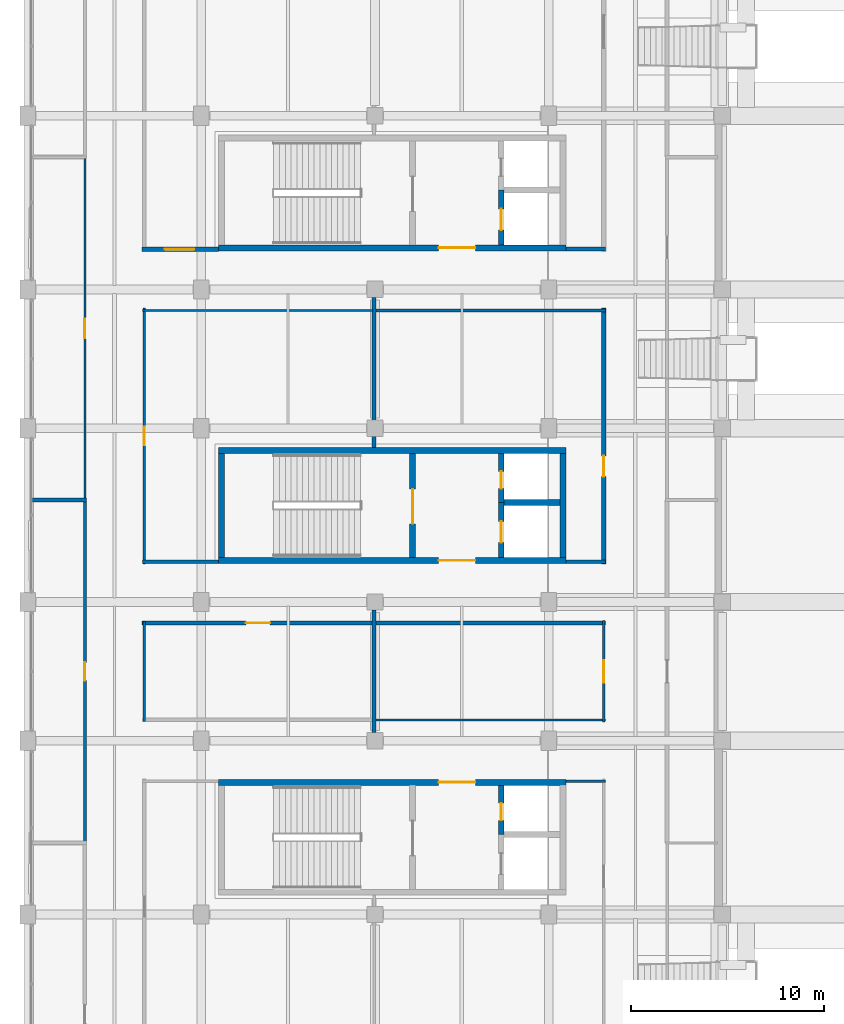
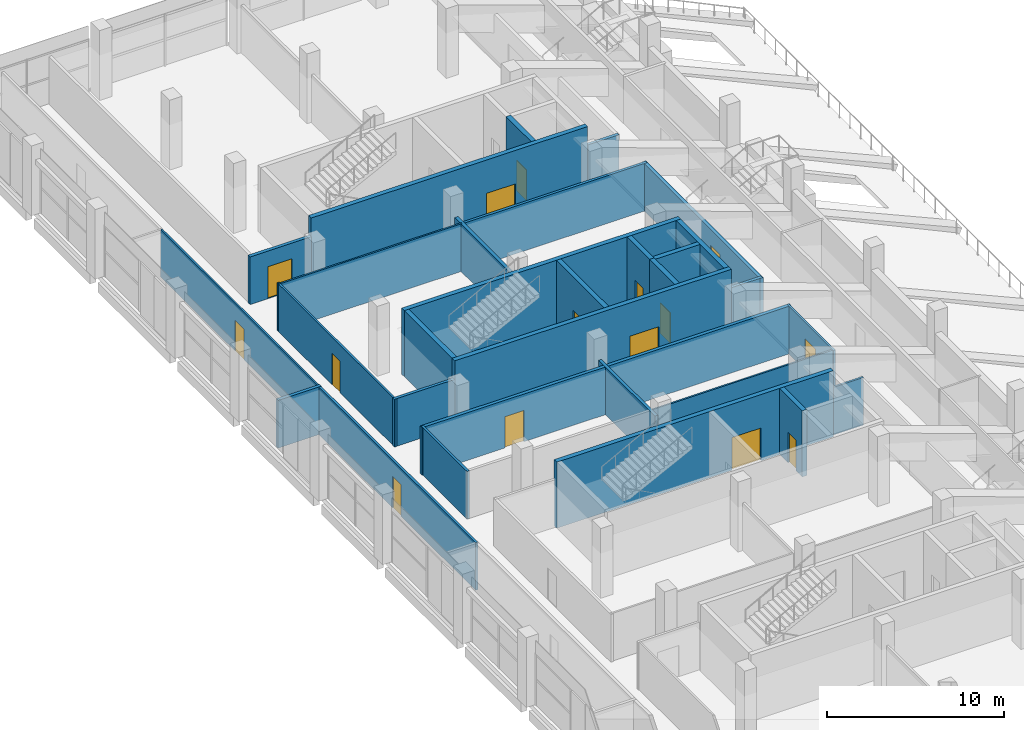
# One storey, part 50 of 66: 31 walls, 15 doors, 15 openings.
"""IFC4 building model written with IfcOpenShell, lengths in metres."""

import ifcopenshell
import ifcopenshell.guid

model = None  # the IFC model being written
_history = None  # IfcOwnerHistory: only IFC2X3 demands one
_inside = {}  # id of a spatial element -> (the spatial element, [elements in it])
_under = {}  # id of a project, library or spatial element -> (it, [spatial elements below it])
_declared = {}  # id of a project -> (the project, [libraries it declares])
_typed = {}  # id of a type object -> (the type object, [elements of that type])
_made_of = {}  # id of a material, layer set ... -> (it, [elements and type objects made of it])


def new_model(schema):
    """Start an empty IFC model of exactly this schema.

    Asked for "IFC4X3", IfcOpenShell would pick the latest addendum, in which some entities
    have other attributes; the version numbers below select the first issue.
    IFC2X3 requires an IfcOwnerHistory on every rooted entity: one is made here for all.
    """
    global model, _history
    if schema == "IFC4X3":
        model = ifcopenshell.file(schema_version=(4, 3, 0, 0))
    else:
        model = ifcopenshell.file(schema=schema)
    _inside.clear()
    _under.clear()
    _declared.clear()
    _typed.clear()
    _made_of.clear()
    _history = None
    if model.schema == "IFC2X3":
        org = make("IfcOrganization", Name="unknown")
        user = make(
            "IfcPersonAndOrganization",
            ThePerson=make("IfcPerson", FamilyName="unknown"),
            TheOrganization=org,
        )
        app = make(
            "IfcApplication",
            ApplicationDeveloper=org,
            Version="unknown",
            ApplicationFullName="unknown",
            ApplicationIdentifier="unknown",
        )
        _history = make(
            "IfcOwnerHistory",
            OwningUser=user,
            OwningApplication=app,
            ChangeAction="ADDED",
            CreationDate=0,
        )
    return model


def make(cls, **values):
    """One entity of the class cls with the attributes given. An attribute that is None is left unset."""
    return model.create_entity(
        cls, **{name: value for name, value in values.items() if value is not None}
    )


def rooted(cls, **values):
    """An entity with a GlobalId (a new one), such as an element, a storey or a relation."""
    return make(cls, GlobalId=ifcopenshell.guid.new(), OwnerHistory=_history, **values)


def si_unit(unit_type, name, prefix=None):
    """IfcSIUnit, for example si_unit("LENGTHUNIT", "METRE", prefix="MILLI")."""
    return make("IfcSIUnit", UnitType=unit_type, Prefix=prefix, Name=name)


def assignment(units):
    """IfcUnitAssignment: the units of a project."""
    return None if units is None else make("IfcUnitAssignment", Units=units)


def point(xyz):
    """IfcCartesianPoint."""
    return None if xyz is None else make("IfcCartesianPoint", Coordinates=xyz)


def direction(xyz):
    """IfcDirection."""
    return None if xyz is None else make("IfcDirection", DirectionRatios=xyz)


def frame(location, z_axis=None, x_axis=None):
    """IfcAxis2Placement3D, a coordinate frame: its origin and axes. An axis left out is left unset."""
    return make(
        "IfcAxis2Placement3D",
        Location=point(location),
        Axis=direction(z_axis),
        RefDirection=direction(x_axis),
    )


def frame_2d(location, x_axis=None):
    """IfcAxis2Placement2D, a coordinate frame in the plane: its origin and x axis."""
    return make(
        "IfcAxis2Placement2D", Location=point(location), RefDirection=direction(x_axis)
    )


def origin():
    """The frame at (0, 0, 0) with its axes left unset."""
    return frame((0.0, 0.0, 0.0))


def place(relative_to, where):
    """IfcLocalPlacement: puts the frame where relative to a parent placement (None: the world)."""
    return make(
        "IfcLocalPlacement", PlacementRelTo=relative_to, RelativePlacement=where
    )


def context(
    kind, dimensions, precision=None, world=None, true_north=None, identifier=None
):
    """IfcGeometricRepresentationContext, for example the 3D "Model" context."""
    return make(
        "IfcGeometricRepresentationContext",
        ContextIdentifier=identifier,
        ContextType=kind,
        CoordinateSpaceDimension=dimensions,
        Precision=precision,
        WorldCoordinateSystem=world,
        TrueNorth=true_north,
    )


def subcontext(parent, identifier, kind, view, scale=None):
    """IfcGeometricRepresentationSubContext, for example "Body" below "Model"."""
    return make(
        "IfcGeometricRepresentationSubContext",
        ContextIdentifier=identifier,
        ContextType=kind,
        ParentContext=parent,
        TargetScale=scale,
        TargetView=view,
    )


def project(units=None, contexts=None):
    """IfcProject with its units and contexts."""
    return rooted(
        "IfcProject",
        Name="project",
        RepresentationContexts=contexts,
        UnitsInContext=assignment(units),
    )


def spatial(cls, under=None, at=None, **own):
    """A site, building, storey or space (cls), placed at a placement, below another one or the project."""
    s = rooted(cls, ObjectPlacement=at, **own)
    if under is not None:
        _under.setdefault(under.id(), (under, []))[1].append(s)
    return s


def profile(cls, at=None, kind="AREA", **sizes):
    """A parametric profile (cls). Its sizes go by their IFC names, for example OverallWidth=200.0."""
    return make(cls, ProfileType=kind, Position=at, **sizes)


def rectangle(**sizes):
    """IfcRectangleProfileDef."""
    return profile("IfcRectangleProfileDef", **sizes)


def extrude(swept, where, along, depth):
    """IfcExtrudedAreaSolid: the profile swept, set in the frame where, extruded along a direction by depth."""
    return make(
        "IfcExtrudedAreaSolid",
        SweptArea=swept,
        Position=where,
        ExtrudedDirection=direction(along),
        Depth=depth,
    )


def shape(context_of_items, identifier, shape_type, items):
    """IfcShapeRepresentation: the items that make up one representation, for example the "Body"."""
    return make(
        "IfcShapeRepresentation",
        ContextOfItems=context_of_items,
        RepresentationIdentifier=identifier,
        RepresentationType=shape_type,
        Items=items,
    )


def material(Name=None, Category=None):
    """IfcMaterial."""
    return make("IfcMaterial", Name=Name, Category=Category)


def layer(
    of_material, thickness, ventilated=None, Name=None, Category=None, Priority=None
):
    """IfcMaterialLayer: one layer of a wall or slab, of a material (None: an air gap)."""
    return make(
        "IfcMaterialLayer",
        Material=of_material,
        LayerThickness=thickness,
        IsVentilated=ventilated,
        Name=Name,
        Category=Category,
        Priority=Priority,
    )


def layer_set(layers, Name=None):
    """IfcMaterialLayerSet."""
    return make("IfcMaterialLayerSet", MaterialLayers=layers, LayerSetName=Name)


def made_of(thing, what):
    """Note that an element or type object is made of a material, layer set ...; save() writes the relation."""
    if what is not None:
        _made_of.setdefault(what.id(), (what, []))[1].append(thing)
    return thing


def type_object(cls, material=None, **own):
    """A type object (cls), such as IfcWallType, which elements share."""
    return made_of(rooted(cls, **own), material)


def element(
    cls,
    number,
    at=None,
    inside=None,
    cuts=None,
    type_object=None,
    material=None,
    context=None,
    identifier="Body",
    shape_type=None,
    held_by="IfcProductDefinitionShape",
    body=None,
    shapes=None,
    **own,
):
    """One element of the class cls, such as IfcWall. Its Tag is "e" and its number.

    at: its placement. inside: the storey or other place that contains it. cuts: it is an
    opening in that element (IfcRelVoidsElement). A single representation is given by context,
    identifier, shape_type and body (its items); several are given by shapes. held_by: the class
    of the entity that holds the representations. save() writes the other relations.
    """
    e = rooted(cls, Tag="e%d" % number, ObjectPlacement=at, **own)
    if body is not None:
        shapes = [shape(context, identifier, shape_type, body)]
    if shapes is not None:
        e.Representation = make(held_by, Representations=shapes)
    if inside is not None:
        _inside.setdefault(inside.id(), (inside, []))[1].append(e)
    if cuts is not None:
        rooted(
            "IfcRelVoidsElement", RelatingBuildingElement=cuts, RelatedOpeningElement=e
        )
    if type_object is not None:
        _typed.setdefault(type_object.id(), (type_object, []))[1].append(e)
    return made_of(e, material)


def fill(opening, filler):
    """IfcRelFillsElement: the door or window that sits in an opening."""
    return rooted(
        "IfcRelFillsElement",
        RelatingOpeningElement=opening,
        RelatedBuildingElement=filler,
    )


def aggregate(whole, parts):
    """IfcRelAggregates: a whole, such as a stair, and the parts it consists of."""
    return rooted("IfcRelAggregates", RelatingObject=whole, RelatedObjects=parts)


def save(model, path):
    """Write the relations noted so far, then the file.

    IfcRelAggregates (storeys below a building ...), IfcRelContainedInSpatialStructure (elements
    in a storey), IfcRelDefinesByType, IfcRelAssociatesMaterial and IfcRelDeclares: one each for
    every whole, place, type object, material and project.
    """
    for whole, parts in _under.values():
        aggregate(whole, parts)
    for where, things in _inside.values():
        rooted(
            "IfcRelContainedInSpatialStructure",
            RelatedElements=things,
            RelatingStructure=where,
        )
    for kind, things in _typed.values():
        rooted("IfcRelDefinesByType", RelatedObjects=things, RelatingType=kind)
    for what, things in _made_of.values():
        rooted("IfcRelAssociatesMaterial", RelatedObjects=things, RelatingMaterial=what)
    for by, libraries in _declared.values():
        rooted("IfcRelDeclares", RelatingContext=by, RelatedDefinitions=libraries)
    model.write(path)


model = new_model("IFC4")

# Units and contexts
model_context = context("Model", 3, precision=1e-05, world=origin(), true_north=direction((0.0, 1.0)))
body_context = subcontext(model_context, "Body", "Model", "MODEL_VIEW")
ifc_project = project(units=[si_unit("LENGTHUNIT", "METRE"), si_unit("AREAUNIT", "SQUARE_METRE"), si_unit("VOLUMEUNIT", "CUBIC_METRE"), si_unit("PLANEANGLEUNIT", "RADIAN"), si_unit("MASSUNIT", "GRAM", prefix="KILO"), si_unit("THERMODYNAMICTEMPERATUREUNIT", "KELVIN"), si_unit("POWERUNIT", "WATT")], contexts=[model_context])

# Site, building, storey
site_placement = place(None, origin())
site = spatial("IfcSite", under=ifc_project, at=site_placement, CompositionType="ELEMENT")
building_placement = place(site_placement, origin())
building = spatial("IfcBuilding", under=site, at=building_placement, Name="Sindhuravela Promenade Stadium", CompositionType="ELEMENT")
storey_placement = place(building_placement, frame((0.0, 0.0, 19.199951171875)))
storey = spatial("IfcBuildingStorey", under=building, at=storey_placement, Name="L04", CompositionType="ELEMENT", Elevation=19.199951171875)

# Walls
ifc_material_1 = material(Name="Fire-rated gypsum partition board", Category="gypsum")
ifc_layer_1 = layer(ifc_material_1, 0.110107421875)
ifc_layer_set_1 = layer_set([ifc_layer_1], Name="Fire-rated gypsum partition board")
wall_type_1 = type_object("IfcWallType", Name="IN-WL-PAR110", PredefinedType="PARTITIONING", material=ifc_layer_set_1)
for number, where, z_axis, x_axis, name in (
    (1, (5.9599609375, 99.7099609375, 0.0), (0.0, 0.0, 1.0), (1.0, 0.0, 0.0), "Interior partition IW06 WEST L04"),
    (2, (29.93994140625, 78.489990234375, 0.0), (0.0, 0.0, 1.0), (-1.0, 0.0, 0.0), "Interior partition IW06 WEST L04"),
):
    element("IfcWall", number, at=place(storey_placement, frame(where, z_axis=z_axis, x_axis=x_axis)), inside=storey, type_object=wall_type_1, Name=name, PredefinedType="PARTITIONING", context=body_context, shape_type="SweptSolid", body=[
        extrude(rectangle(XDim=11.949951171875, YDim=0.110107421875, at=frame_2d((5.97509765625, 0.0))), origin(), (0.0, 0.0, 1.0), 3.280029296875),
    ])

# Wall, opening, door
wall_1_placement = place(storey_placement, frame((2.9599609375, 89.885986328125, 0.0), z_axis=(0.0, 0.0, 1.0), x_axis=(0.0, 1.0, 0.0)))
wall_1 = element("IfcWall", 3, at=wall_1_placement, inside=storey, type_object=wall_type_1, Name="Corridor partition IW06 Supporter Welfare Room West 6", PredefinedType="PARTITIONING", context=body_context, shape_type="SweptSolid", body=[
    extrude(rectangle(XDim=17.77197265625, YDim=0.110107421875, at=frame_2d((8.885986328125, 0.0))), origin(), (0.0, 0.0, 1.0), 3.280029296875),
])
opening_1_placement = place(wall_1_placement, frame((8.385986328125, 0.0, 0.0)))
opening_1 = element("IfcOpeningElement", 4, at=opening_1_placement, cuts=wall_1, Name="Opening ID08", PredefinedType="OPENING", context=body_context, shape_type="SweptSolid", body=[
    extrude(rectangle(XDim=1.0, YDim=2.10009765625, at=frame_2d((0.5, 1.050048828125))), frame((0.0, 0.06494140625, 0.0), z_axis=(0.0, -1.0, 0.0), x_axis=(1.0, 0.0, 0.0)), (0.0, 0.0, 1.0), 0.130126953125),
])
ifc_material_2 = material(Name="Architectural teak timber leaf", Category="wood")
door_type_1 = type_object("IfcDoorType", Name="DR-INT-1000x2100", OperationType="NOTDEFINED", PredefinedType="DOOR", material=ifc_material_2)
door_1_placement = place(opening_1_placement, origin())
door_1 = element("IfcDoor", 5, at=door_1_placement, inside=storey, type_object=door_type_1, Name="Supporter Welfare Room West 6 door", OperationType="SINGLE_SWING_RIGHT", OverallHeight=2.10009765625, OverallWidth=1.0, PredefinedType="DOOR", context=body_context, shape_type="SweptSolid", body=[
    extrude(rectangle(XDim=1.0, YDim=2.10009765625, at=frame_2d((0.5, 1.050048828125))), frame((0.0, 0.02490234375, 0.0), z_axis=(0.0, -1.0, 0.0), x_axis=(1.0, 0.0, 0.0)), (0.0, 0.0, 1.0), 0.050048828125),
])
fill(opening_1, door_1)

ifc_layer_2 = layer(ifc_material_1, 0.1298828125)
ifc_layer_set_2 = layer_set([ifc_layer_2], Name="Fire-rated gypsum partition board")
wall_type_2 = type_object("IfcWallType", Name="IN-WL-PAR130", PredefinedType="PARTITIONING", material=ifc_layer_set_2)
wall_2_placement = place(storey_placement, frame((6.0400390625, 99.830078125, 0.0), z_axis=(0.0, 0.0, 1.0), x_axis=(0.0, -1.0, 0.0)))
wall_2 = element("IfcWall", 6, at=wall_2_placement, inside=storey, type_object=wall_type_2, Name="Corridor partition IW05 Stadium Operations Office", PredefinedType="PARTITIONING", context=body_context, shape_type="SweptSolid", body=[
    extrude(rectangle(XDim=13.260009765625, YDim=0.1298828125, at=frame_2d((6.6298828125, 0.0))), origin(), (0.0, 0.0, 1.0), 3.280029296875),
])
opening_2_placement = place(wall_2_placement, frame((6.155029296875, 0.0, 0.0)))
opening_2 = element("IfcOpeningElement", 7, at=opening_2_placement, cuts=wall_2, Name="Opening ID10", PredefinedType="OPENING", context=body_context, shape_type="SweptSolid", body=[
    extrude(rectangle(XDim=0.949951171875, YDim=2.179931640625, at=frame_2d((0.47509765625, 1.08984375))), frame((0.0, 0.074951171875, 0.0), z_axis=(0.0, -1.0, 0.0), x_axis=(1.0, 0.0, 0.0)), (0.0, 0.0, 1.0), 0.14990234375),
])
door_type_2 = type_object("IfcDoorType", Name="DR-INT-950x2180", OperationType="NOTDEFINED", PredefinedType="DOOR", material=ifc_material_2)
door_2_placement = place(opening_2_placement, origin())
door_2 = element("IfcDoor", 8, at=door_2_placement, inside=storey, type_object=door_type_2, Name="Stadium Operations Office door", OperationType="SINGLE_SWING_RIGHT", OverallHeight=2.179931640625, OverallWidth=0.949951171875, PredefinedType="DOOR", context=body_context, shape_type="SweptSolid", body=[
    extrude(rectangle(XDim=0.949951171875, YDim=2.179931640625, at=frame_2d((0.47509765625, 1.08984375))), frame((0.0, 0.02490234375, 0.0), z_axis=(0.0, -1.0, 0.0), x_axis=(1.0, 0.0, 0.0)), (0.0, 0.0, 1.0), 0.050048828125),
])
fill(opening_2, door_2)

# Wall
wall_3_placement = place(storey_placement, frame((27.902099609375, 75.31005859375, 0.0), z_axis=(0.0, 0.0, 1.0), x_axis=(1.0, 0.0, 0.0)))
element("IfcWall", 9, at=wall_3_placement, inside=storey, type_object=wall_type_2, Name="Interior partition IW05 WEST L04", PredefinedType="PARTITIONING", context=body_context, shape_type="SweptSolid", body=[
    extrude(rectangle(XDim=2.037841796875, YDim=0.1298828125, at=frame_2d((1.01904296875, 0.0))), origin(), (0.0, 0.0, 1.0), 3.280029296875),
])

# Wall, opening, door
wall_4_placement = place(storey_placement, frame((29.860107421875, 78.3701171875, 0.0), z_axis=(0.0, 0.0, 1.0), x_axis=(0.0, 1.0, 0.0)))
wall_4 = element("IfcWall", 10, at=wall_4_placement, inside=storey, type_object=wall_type_2, Name="Corridor partition IW05 Panorama Supporters Lounge West 3", PredefinedType="PARTITIONING", context=body_context, shape_type="SweptSolid", body=[
    extrude(rectangle(XDim=5.259765625, YDim=0.1298828125, at=frame_2d((2.6298828125, 0.0))), origin(), (0.0, 0.0, 1.0), 3.280029296875),
])
opening_3_placement = place(wall_4_placement, frame((2.054931640625, 0.0, 0.0)))
opening_3 = element("IfcOpeningElement", 11, at=opening_3_placement, cuts=wall_4, Name="Opening ID05", PredefinedType="OPENING", context=body_context, shape_type="SweptSolid", body=[
    extrude(rectangle(XDim=1.14990234375, YDim=2.14990234375, at=frame_2d((0.574951171875, 1.074951171875))), frame((0.0, 0.074951171875, 0.0), z_axis=(0.0, -1.0, 0.0), x_axis=(1.0, 0.0, 0.0)), (0.0, 0.0, 1.0), 0.14990234375),
])
door_type_3 = type_object("IfcDoorType", Name="DR-INT-1150x2150", OperationType="NOTDEFINED", PredefinedType="DOOR", material=ifc_material_2)
door_3_placement = place(opening_3_placement, origin())
door_3 = element("IfcDoor", 12, at=door_3_placement, inside=storey, type_object=door_type_3, Name="Panorama Supporters Lounge West 3 door", OperationType="SINGLE_SWING_LEFT", OverallHeight=2.14990234375, OverallWidth=1.14990234375, PredefinedType="DOOR", context=body_context, shape_type="SweptSolid", body=[
    extrude(rectangle(XDim=1.14990234375, YDim=2.14990234375, at=frame_2d((0.574951171875, 1.074951171875))), frame((0.0, 0.02490234375, 0.0), z_axis=(0.0, -1.0, 0.0), x_axis=(1.0, 0.0, 0.0)), (0.0, 0.0, 1.0), 0.050048828125),
])
fill(opening_3, door_3)

# Wall
ifc_layer_3 = layer(ifc_material_1, 0.14990234375)
ifc_layer_set_3 = layer_set([ifc_layer_3], Name="Fire-rated gypsum partition board")
wall_type_3 = type_object("IfcWallType", Name="IN-WL-PAR150", PredefinedType="PARTITIONING", material=ifc_layer_set_3)
wall_5_placement = place(storey_placement, frame((6.0400390625, 78.409912109375, 0.0), z_axis=(0.0, 0.0, 1.0), x_axis=(0.0, 1.0, 0.0)))
element("IfcWall", 13, at=wall_5_placement, inside=storey, type_object=wall_type_3, Name="Interior partition IW04 WEST L04", PredefinedType="PARTITIONING", context=body_context, shape_type="SweptSolid", body=[
    extrude(rectangle(XDim=5.18017578125, YDim=0.14990234375, at=frame_2d((2.590087890625, 0.0))), origin(), (0.0, 0.0, 1.0), 3.280029296875),
])

# Wall, opening, door
wall_6_placement = place(storey_placement, frame((2.9599609375, 72.114013671875, 0.0), z_axis=(0.0, 0.0, 1.0), x_axis=(0.0, 1.0, 0.0)))
wall_6 = element("IfcWall", 14, at=wall_6_placement, inside=storey, type_object=wall_type_3, Name="Corridor partition IW04 Public Toilet Block West L04 8", PredefinedType="PARTITIONING", context=body_context, shape_type="SweptSolid", body=[
    extrude(rectangle(XDim=17.77197265625, YDim=0.14990234375, at=frame_2d((8.885986328125, 0.0))), origin(), (0.0, 0.0, 1.0), 3.280029296875),
])
opening_4_placement = place(wall_6_placement, frame((8.410888671875, 0.0, 0.0)))
opening_4 = element("IfcOpeningElement", 15, at=opening_4_placement, cuts=wall_6, Name="Opening ID10", PredefinedType="OPENING", context=body_context, shape_type="SweptSolid", body=[
    extrude(rectangle(XDim=0.949951171875, YDim=2.179931640625, at=frame_2d((0.47509765625, 1.08984375))), frame((0.0, 0.0849609375, 0.0), z_axis=(0.0, -1.0, 0.0), x_axis=(1.0, 0.0, 0.0)), (0.0, 0.0, 1.0), 0.169921875),
])
door_4_placement = place(opening_4_placement, origin())
door_4 = element("IfcDoor", 16, at=door_4_placement, inside=storey, type_object=door_type_2, Name="Public Toilet Block West L04 8 door", OperationType="SINGLE_SWING_RIGHT", OverallHeight=2.179931640625, OverallWidth=0.949951171875, PredefinedType="DOOR", context=body_context, shape_type="SweptSolid", body=[
    extrude(rectangle(XDim=0.949951171875, YDim=2.179931640625, at=frame_2d((0.47509765625, 1.08984375))), frame((0.0, 0.02490234375, 0.0), z_axis=(0.0, -1.0, 0.0), x_axis=(1.0, 0.0, 0.0)), (0.0, 0.0, 1.0), 0.050048828125),
])
fill(opening_4, door_4)

# Walls
ifc_layer_4 = layer(ifc_material_1, 0.175048828125)
ifc_layer_set_4 = layer_set([ifc_layer_4], Name="Fire-rated gypsum partition board")
wall_type_4 = type_object("IfcWallType", Name="IN-WL-PAR175", PredefinedType="PARTITIONING", material=ifc_layer_set_4)
wall_7_placement = place(storey_placement, frame((17.989990234375, 99.7099609375, 0.0), z_axis=(0.0, 0.0, 1.0), x_axis=(1.0, 0.0, 0.0)))
element("IfcWall", 17, at=wall_7_placement, inside=storey, type_object=wall_type_4, Name="Interior partition IW03 WEST L04", PredefinedType="PARTITIONING", context=body_context, shape_type="SweptSolid", body=[
    extrude(rectangle(XDim=11.949951171875, YDim=0.175048828125, at=frame_2d((5.97509765625, 0.0))), origin(), (0.0, 0.0, 1.0), 3.280029296875),
])
ifc_layer_5 = layer(ifc_material_1, 0.195068359375)
ifc_layer_set_5 = layer_set([ifc_layer_5], Name="Fire-rated gypsum partition board")
wall_type_5 = type_object("IfcWallType", Name="IN-WL-PAR195", PredefinedType="PARTITIONING", material=ifc_layer_set_5)
wall_8_placement = place(storey_placement, frame((29.93994140625, 102.889892578125, 0.0), z_axis=(0.0, 0.0, 1.0), x_axis=(-1.0, 0.0, 0.0)))
element("IfcWall", 18, at=wall_8_placement, inside=storey, type_object=wall_type_5, Name="Interior partition IW02 WEST L04", PredefinedType="PARTITIONING", context=body_context, shape_type="SweptSolid", body=[
    extrude(rectangle(XDim=2.037841796875, YDim=0.195068359375, at=frame_2d((1.01904296875, 0.0))), origin(), (0.0, 0.0, 1.0), 3.280029296875),
])
wall_9_placement = place(storey_placement, frame((9.89794921875, 86.68994140625, 0.0), z_axis=(0.0, 0.0, 1.0), x_axis=(-1.0, 0.0, 0.0)))
element("IfcWall", 19, at=wall_9_placement, inside=storey, type_object=wall_type_5, Name="Interior partition IW02 WEST L04", PredefinedType="PARTITIONING", context=body_context, shape_type="SweptSolid", body=[
    extrude(rectangle(XDim=3.93798828125, YDim=0.195068359375, at=frame_2d((1.968994140625, 0.0))), origin(), (0.0, 0.0, 1.0), 3.280029296875),
])
wall_10_placement = place(storey_placement, frame((29.93994140625, 86.68994140625, 0.0), z_axis=(0.0, 0.0, 1.0), x_axis=(-1.0, 0.0, 0.0)))
element("IfcWall", 20, at=wall_10_placement, inside=storey, type_object=wall_type_5, Name="Interior partition IW02 WEST L04", PredefinedType="PARTITIONING", context=body_context, shape_type="SweptSolid", body=[
    extrude(rectangle(XDim=2.037841796875, YDim=0.195068359375, at=frame_2d((1.01904296875, 0.0))), origin(), (0.0, 0.0, 1.0), 3.280029296875),
])
wall_11_placement = place(storey_placement, frame((17.949951171875, 84.173095703125, 0.0), z_axis=(0.0, 0.0, 1.0), x_axis=(0.0, -1.0, 0.0)))
element("IfcWall", 21, at=wall_11_placement, inside=storey, type_object=wall_type_5, Name="Interior partition IW02 WEST L04", PredefinedType="PARTITIONING", context=body_context, shape_type="SweptSolid", body=[
    extrude(rectangle(XDim=6.34619140625, YDim=0.195068359375, at=frame_2d((3.173095703125, 0.0))), origin(), (0.0, 0.0, 1.0), 3.280029296875),
])

# Wall, opening, door
ifc_layer_6 = layer(ifc_material_1, 0.219970703125)
ifc_layer_set_6 = layer_set([ifc_layer_6], Name="Fire-rated gypsum partition board")
wall_type_6 = type_object("IfcWallType", Name="IN-WL-PAR220", PredefinedType="PARTITIONING", material=ifc_layer_set_6)
wall_12_placement = place(storey_placement, frame((5.919921875, 102.889892578125, 0.0), z_axis=(0.0, 0.0, 1.0), x_axis=(1.0, 0.0, 0.0)))
wall_12 = element("IfcWall", 22, at=wall_12_placement, inside=storey, type_object=wall_type_6, Name="Corridor partition IW01 Upper Cantilevered Tier Stands West", PredefinedType="PARTITIONING", context=body_context, shape_type="SweptSolid", body=[
    extrude(rectangle(XDim=3.97802734375, YDim=0.219970703125, at=frame_2d((1.989013671875, 0.0))), origin(), (0.0, 0.0, 1.0), 3.280029296875),
])
opening_5_placement = place(wall_12_placement, frame((1.175048828125, 0.0, 0.0)))
opening_5 = element("IfcOpeningElement", 23, at=opening_5_placement, cuts=wall_12, Name="Opening ID02", PredefinedType="OPENING", context=body_context, shape_type="SweptSolid", body=[
    extrude(rectangle(XDim=1.550048828125, YDim=2.199951171875, at=frame_2d((0.77490234375, 1.10009765625))), frame((0.0, 0.119873046875, 0.0), z_axis=(0.0, -1.0, 0.0), x_axis=(1.0, 0.0, 0.0)), (0.0, 0.0, 1.0), 0.239990234375),
])
door_type_4 = type_object("IfcDoorType", Name="DR-INT-1550x2200", OperationType="DOUBLE_DOOR_SINGLE_SWING", PredefinedType="DOOR", material=ifc_material_2)
door_5_placement = place(opening_5_placement, origin())
door_5 = element("IfcDoor", 24, at=door_5_placement, inside=storey, type_object=door_type_4, Name="Upper Cantilevered Tier Stands West door", OperationType="DOUBLE_DOOR_SINGLE_SWING", OverallHeight=2.199951171875, OverallWidth=1.550048828125, PredefinedType="DOOR", context=body_context, shape_type="SweptSolid", body=[
    extrude(rectangle(XDim=1.550048828125, YDim=2.199951171875, at=frame_2d((0.77490234375, 1.10009765625))), frame((0.0, 0.02490234375, 0.0), z_axis=(0.0, -1.0, 0.0), x_axis=(1.0, 0.0, 0.0)), (0.0, 0.0, 1.0), 0.050048828125),
])
fill(opening_5, door_5)

# Wall
wall_13_placement = place(storey_placement, frame((17.949951171875, 100.373046875, 0.0), z_axis=(0.0, 0.0, 1.0), x_axis=(0.0, -1.0, 0.0)))
element("IfcWall", 25, at=wall_13_placement, inside=storey, type_object=wall_type_6, Name="Interior partition IW01 WEST L04", PredefinedType="PARTITIONING", context=body_context, shape_type="SweptSolid", body=[
    extrude(rectangle(XDim=7.77099609375, YDim=0.219970703125, at=frame_2d((3.885498046875, 0.0))), origin(), (0.0, 0.0, 1.0), 3.280029296875),
])

# Wall, opening, door
wall_14_placement = place(storey_placement, frame((29.860107421875, 86.570068359375, 0.0), z_axis=(0.0, 0.0, 1.0), x_axis=(0.0, 1.0, 0.0)))
wall_14 = element("IfcWall", 26, at=wall_14_placement, inside=storey, type_object=wall_type_6, Name="Corridor partition IW01 Accessible WC West L04", PredefinedType="PARTITIONING", context=body_context, shape_type="SweptSolid", body=[
    extrude(rectangle(XDim=13.260009765625, YDim=0.219970703125, at=frame_2d((6.6298828125, 0.0))), origin(), (0.0, 0.0, 1.0), 3.280029296875),
])
opening_6_placement = place(wall_14_placement, frame((4.527587890625, 0.0, 0.0)))
opening_6 = element("IfcOpeningElement", 27, at=opening_6_placement, cuts=wall_14, Name="Opening ID12", PredefinedType="OPENING", context=body_context, shape_type="SweptSolid", body=[
    extrude(rectangle(XDim=1.080078125, YDim=2.179931640625, at=frame_2d((0.5400390625, 1.08984375))), frame((0.0, 0.119873046875, 0.0), z_axis=(0.0, -1.0, 0.0), x_axis=(1.0, 0.0, 0.0)), (0.0, 0.0, 1.0), 0.239990234375),
])
door_type_5 = type_object("IfcDoorType", Name="DR-INT-1080x2180", OperationType="NOTDEFINED", PredefinedType="DOOR", material=ifc_material_2)
door_6_placement = place(opening_6_placement, origin())
door_6 = element("IfcDoor", 28, at=door_6_placement, inside=storey, type_object=door_type_5, Name="Accessible WC West L04 door", OperationType="SINGLE_SWING_RIGHT", OverallHeight=2.179931640625, OverallWidth=1.080078125, PredefinedType="DOOR", context=body_context, shape_type="SweptSolid", body=[
    extrude(rectangle(XDim=1.080078125, YDim=2.179931640625, at=frame_2d((0.5400390625, 1.08984375))), frame((0.0, 0.02490234375, 0.0), z_axis=(0.0, -1.0, 0.0), x_axis=(1.0, 0.0, 0.0)), (0.0, 0.0, 1.0), 0.050048828125),
])
fill(opening_6, door_6)

wall_15_placement = place(storey_placement, frame((17.949951171875, 83.510009765625, 0.0), z_axis=(0.0, 0.0, 1.0), x_axis=(-1.0, 0.0, 0.0)))
wall_15 = element("IfcWall", 29, at=wall_15_placement, inside=storey, type_object=wall_type_6, Name="Corridor partition IW01 West Upper Concourse Hall 2", PredefinedType="PARTITIONING", context=body_context, shape_type="SweptSolid", body=[
    extrude(rectangle(XDim=12.030029296875, YDim=0.219970703125, at=frame_2d((6.01513671875, 0.0))), origin(), (0.0, 0.0, 1.0), 3.280029296875),
])
opening_7_placement = place(wall_15_placement, frame((5.389892578125, 0.0, 0.0)))
opening_7 = element("IfcOpeningElement", 30, at=opening_7_placement, cuts=wall_15, Name="Opening ID04", PredefinedType="OPENING", context=body_context, shape_type="SweptSolid", body=[
    extrude(rectangle(XDim=1.25, YDim=2.14990234375, at=frame_2d((0.625, 1.074951171875))), frame((0.0, 0.119873046875, 0.0), z_axis=(0.0, -1.0, 0.0), x_axis=(1.0, 0.0, 0.0)), (0.0, 0.0, 1.0), 0.239990234375),
])
door_type_6 = type_object("IfcDoorType", Name="DR-INT-1250x2150", OperationType="NOTDEFINED", PredefinedType="DOOR", material=ifc_material_2)
door_7_placement = place(opening_7_placement, origin())
door_7 = element("IfcDoor", 31, at=door_7_placement, inside=storey, type_object=door_type_6, Name="West Upper Concourse Hall 2 door", OperationType="SINGLE_SWING_RIGHT", OverallHeight=2.14990234375, OverallWidth=1.25, PredefinedType="DOOR", context=body_context, shape_type="SweptSolid", body=[
    extrude(rectangle(XDim=1.25, YDim=2.14990234375, at=frame_2d((0.625, 1.074951171875))), frame((0.0, 0.02490234375, 0.0), z_axis=(0.0, -1.0, 0.0), x_axis=(1.0, 0.0, 0.0)), (0.0, 0.0, 1.0), 0.050048828125),
])
fill(opening_7, door_7)

# Walls
wall_16_placement = place(storey_placement, frame((17.989990234375, 83.510009765625, 0.0), z_axis=(0.0, 0.0, 1.0), x_axis=(1.0, 0.0, 0.0)))
element("IfcWall", 32, at=wall_16_placement, inside=storey, type_object=wall_type_6, Name="Interior partition IW01 WEST L04", PredefinedType="PARTITIONING", context=body_context, shape_type="SweptSolid", body=[
    extrude(rectangle(XDim=11.949951171875, YDim=0.219970703125, at=frame_2d((5.97509765625, 0.0))), origin(), (0.0, 0.0, 1.0), 3.280029296875),
])
wall_17_placement = place(storey_placement, frame((3.0400390625, 89.885986328125, 0.0), z_axis=(0.0, 0.0, 1.0), x_axis=(-1.0, 0.0, 0.0)))
element("IfcWall", 33, at=wall_17_placement, inside=storey, type_object=wall_type_6, Name="Interior partition IW01 WEST L04", PredefinedType="PARTITIONING", context=body_context, shape_type="SweptSolid", body=[
    extrude(rectangle(XDim=2.80712890625, YDim=0.219970703125, at=frame_2d((1.403564453125, 0.0))), origin(), (0.0, 0.0, 1.0), 3.280029296875),
])

# Wall, opening, door
ifc_material_3 = material(Name="Concrete M50", Category="concrete")
ifc_layer_7 = layer(ifc_material_3, 0.300048828125)
ifc_layer_set_7 = layer_set([ifc_layer_7], Name="Concrete M50")
wall_type_7 = type_object("IfcWallType", Name="RC-SW-300", PredefinedType="SHEAR", material=ifc_layer_set_7)
wall_18_placement = place(storey_placement, frame((27.89990234375, 75.25, 0.0), z_axis=(0.0, 0.0, 1.0), x_axis=(-1.0, 0.0, 0.0)))
wall_18 = element("IfcWall", 34, at=wall_18_placement, inside=storey, type_object=wall_type_7, Name="Core shear wall C02-N (L04)", PredefinedType="SHEAR", context=body_context, shape_type="SweptSolid", body=[
    extrude(rectangle(XDim=18.0, YDim=0.300048828125, at=frame_2d((9.0, 0.0))), origin(), (0.0, 0.0, 1.0), 4.550048828125),
])
opening_8_placement = place(wall_18_placement, frame((4.699951171875, 0.0, 0.0)))
opening_8 = element("IfcOpeningElement", 35, at=opening_8_placement, cuts=wall_18, Name="Opening FD02", PredefinedType="OPENING", context=body_context, shape_type="SweptSolid", body=[
    extrude(rectangle(XDim=1.89990234375, YDim=2.25, at=frame_2d((0.949951171875, 1.125))), frame((0.0, 0.159912109375, 0.0), z_axis=(0.0, -1.0, 0.0), x_axis=(1.0, 0.0, 0.0)), (0.0, 0.0, 1.0), 0.320068359375),
])
ifc_material_4 = material(Name="Architectural wrought steel E350", Category="steel")
door_type_7 = type_object("IfcDoorType", Name="DR-LOB-1900x2250", OperationType="DOUBLE_DOOR_SINGLE_SWING", PredefinedType="DOOR", material=ifc_material_4)
door_8_placement = place(opening_8_placement, origin())
door_8 = element("IfcDoor", 36, at=door_8_placement, inside=storey, type_object=door_type_7, Name="Protected lobby entrance door C02 (L04)", OperationType="DOUBLE_DOOR_SINGLE_SWING", OverallHeight=2.25, OverallWidth=1.89990234375, PredefinedType="DOOR", context=body_context, shape_type="SweptSolid", body=[
    extrude(rectangle(XDim=1.89990234375, YDim=2.25, at=frame_2d((0.949951171875, 1.125))), frame((0.0, 0.02490234375, 0.0), z_axis=(0.0, -1.0, 0.0), x_axis=(1.0, 0.0, 0.0)), (0.0, 0.0, 1.0), 0.050048828125),
])
fill(opening_8, door_8)

wall_19_placement = place(storey_placement, frame((24.550048828125, 72.550048828125, 0.0), z_axis=(0.0, 0.0, 1.0), x_axis=(0.0, 1.0, 0.0)))
wall_19 = element("IfcWall", 37, at=wall_19_placement, inside=storey, type_object=wall_type_7, Name="Core shear wall C02-RSR (L04)", PredefinedType="SHEAR", context=body_context, shape_type="SweptSolid", body=[
    extrude(rectangle(XDim=2.550048828125, YDim=0.300048828125, at=frame_2d((1.27490234375, 0.0))), origin(), (0.0, 0.0, 1.0), 4.550048828125),
])
opening_9_placement = place(wall_19_placement, frame((0.72509765625, 0.0, 0.0)))
opening_9 = element("IfcOpeningElement", 38, at=opening_9_placement, cuts=wall_19, Name="Opening FD03", PredefinedType="OPENING", context=body_context, shape_type="SweptSolid", body=[
    extrude(rectangle(XDim=0.89990234375, YDim=2.10009765625, at=frame_2d((0.449951171875, 1.050048828125))), frame((0.0, 0.159912109375, 0.0), z_axis=(0.0, -1.0, 0.0), x_axis=(1.0, 0.0, 0.0)), (0.0, 0.0, 1.0), 0.320068359375),
])
door_type_8 = type_object("IfcDoorType", Name="DR-RSR-900x2100", OperationType="NOTDEFINED", PredefinedType="DOOR", material=ifc_material_4)
door_9_placement = place(opening_9_placement, origin())
door_9 = element("IfcDoor", 39, at=door_9_placement, inside=storey, type_object=door_type_8, Name="Riser shaft access door C02 (L04)", OperationType="SINGLE_SWING_LEFT", OverallHeight=2.10009765625, OverallWidth=0.89990234375, PredefinedType="DOOR", context=body_context, shape_type="SweptSolid", body=[
    extrude(rectangle(XDim=0.89990234375, YDim=2.10009765625, at=frame_2d((0.449951171875, 1.050048828125))), frame((0.0, 0.02490234375, 0.0), z_axis=(0.0, -1.0, 0.0), x_axis=(1.0, 0.0, 0.0)), (0.0, 0.0, 1.0), 0.050048828125),
])
fill(opening_9, door_9)

wall_20_placement = place(storey_placement, frame((9.89990234375, 86.75, 0.0), z_axis=(0.0, 0.0, 1.0), x_axis=(1.0, 0.0, 0.0)))
wall_20 = element("IfcWall", 40, at=wall_20_placement, inside=storey, type_object=wall_type_7, Name="Core shear wall C03-S (L04)", PredefinedType="SHEAR", context=body_context, shape_type="SweptSolid", body=[
    extrude(rectangle(XDim=18.0, YDim=0.300048828125, at=frame_2d((9.0, 0.0))), origin(), (0.0, 0.0, 1.0), 4.550048828125),
])
opening_10_placement = place(wall_20_placement, frame((11.39990234375, 0.0, 0.0)))
opening_10 = element("IfcOpeningElement", 41, at=opening_10_placement, cuts=wall_20, Name="Opening FD02", PredefinedType="OPENING", context=body_context, shape_type="SweptSolid", body=[
    extrude(rectangle(XDim=1.89990234375, YDim=2.25, at=frame_2d((0.949951171875, 1.125))), frame((0.0, 0.159912109375, 0.0), z_axis=(0.0, -1.0, 0.0), x_axis=(1.0, 0.0, 0.0)), (0.0, 0.0, 1.0), 0.320068359375),
])
door_10_placement = place(opening_10_placement, origin())
door_10 = element("IfcDoor", 42, at=door_10_placement, inside=storey, type_object=door_type_7, Name="Protected lobby entrance door C03 (L04)", OperationType="DOUBLE_DOOR_SINGLE_SWING", OverallHeight=2.25, OverallWidth=1.89990234375, PredefinedType="DOOR", context=body_context, shape_type="SweptSolid", body=[
    extrude(rectangle(XDim=1.89990234375, YDim=2.25, at=frame_2d((0.949951171875, 1.125))), frame((0.0, 0.02490234375, 0.0), z_axis=(0.0, -1.0, 0.0), x_axis=(1.0, 0.0, 0.0)), (0.0, 0.0, 1.0), 0.050048828125),
])
fill(opening_10, door_10)

# Walls
wall_21_placement = place(storey_placement, frame((27.89990234375, 92.449951171875, 0.0), z_axis=(0.0, 0.0, 1.0), x_axis=(-1.0, 0.0, 0.0)))
element("IfcWall", 43, at=wall_21_placement, inside=storey, type_object=wall_type_7, Name="Core shear wall C03-N (L04)", PredefinedType="SHEAR", context=body_context, shape_type="SweptSolid", body=[
    extrude(rectangle(XDim=18.0, YDim=0.300048828125, at=frame_2d((9.0, 0.0))), origin(), (0.0, 0.0, 1.0), 4.550048828125),
])
for number, where, z_axis, x_axis, name in (
    (44, (10.050048828125, 92.300048828125, 0.0), (0.0, 0.0, 1.0), (0.0, -1.0, 0.0), "Core shear wall C03-W (L04)"),
    (45, (27.75, 86.89990234375, 0.0), (0.0, 0.0, 1.0), (0.0, 1.0, 0.0), "Core shear wall C03-E (L04)"),
):
    element("IfcWall", number, at=place(storey_placement, frame(where, z_axis=z_axis, x_axis=x_axis)), inside=storey, type_object=wall_type_7, Name=name, PredefinedType="SHEAR", context=body_context, shape_type="SweptSolid", body=[
        extrude(rectangle(XDim=5.400146484375, YDim=0.300048828125, at=frame_2d((2.7001953125, 0.0))), origin(), (0.0, 0.0, 1.0), 4.550048828125),
    ])

# Wall, opening, door
wall_22_placement = place(storey_placement, frame((19.949951171875, 86.89990234375, 0.0), z_axis=(0.0, 0.0, 1.0), x_axis=(0.0, 1.0, 0.0)))
wall_22 = element("IfcWall", 46, at=wall_22_placement, inside=storey, type_object=wall_type_7, Name="Core shear wall C03-ST (L04)", PredefinedType="SHEAR", context=body_context, shape_type="SweptSolid", body=[
    extrude(rectangle(XDim=5.400146484375, YDim=0.300048828125, at=frame_2d((2.7001953125, 0.0))), origin(), (0.0, 0.0, 1.0), 4.550048828125),
])
opening_11_placement = place(wall_22_placement, frame((1.75, 0.0, 0.0)))
opening_11 = element("IfcOpeningElement", 47, at=opening_11_placement, cuts=wall_22, Name="Opening FD01", PredefinedType="OPENING", context=body_context, shape_type="SweptSolid", body=[
    extrude(rectangle(XDim=1.800048828125, YDim=2.25, at=frame_2d((0.89990234375, 1.125))), frame((0.0, 0.159912109375, 0.0), z_axis=(0.0, -1.0, 0.0), x_axis=(1.0, 0.0, 0.0)), (0.0, 0.0, 1.0), 0.320068359375),
])
door_type_9 = type_object("IfcDoorType", Name="DR-CORE-1800x2250", OperationType="DOUBLE_DOOR_SINGLE_SWING", PredefinedType="DOOR", material=ifc_material_4)
door_11_placement = place(opening_11_placement, origin())
door_11 = element("IfcDoor", 48, at=door_11_placement, inside=storey, type_object=door_type_9, Name="Stair ST03 lobby fire door (L04)", OperationType="DOUBLE_DOOR_SINGLE_SWING", OverallHeight=2.25, OverallWidth=1.800048828125, PredefinedType="DOOR", context=body_context, shape_type="SweptSolid", body=[
    extrude(rectangle(XDim=1.800048828125, YDim=2.25, at=frame_2d((0.89990234375, 1.125))), frame((0.0, 0.02490234375, 0.0), z_axis=(0.0, -1.0, 0.0), x_axis=(1.0, 0.0, 0.0)), (0.0, 0.0, 1.0), 0.050048828125),
])
fill(opening_11, door_11)

wall_23_placement = place(storey_placement, frame((24.550048828125, 86.89990234375, 0.0), z_axis=(0.0, 0.0, 1.0), x_axis=(0.0, 1.0, 0.0)))
wall_23 = element("IfcWall", 49, at=wall_23_placement, inside=storey, type_object=wall_type_7, Name="Core shear wall C03-LFT (L04)", PredefinedType="SHEAR", context=body_context, shape_type="SweptSolid", body=[
    extrude(rectangle(XDim=2.85009765625, YDim=0.300048828125, at=frame_2d((1.425048828125, 0.0))), origin(), (0.0, 0.0, 1.0), 4.550048828125),
])
opening_12_placement = place(wall_23_placement, frame((0.77490234375, 0.0, 0.0)))
opening_12 = element("IfcOpeningElement", 50, at=opening_12_placement, cuts=wall_23, Name="Opening LD", PredefinedType="OPENING", context=body_context, shape_type="SweptSolid", body=[
    extrude(rectangle(XDim=1.10009765625, YDim=2.10009765625, at=frame_2d((0.550048828125, 1.050048828125))), frame((0.0, 0.159912109375, 0.0), z_axis=(0.0, -1.0, 0.0), x_axis=(1.0, 0.0, 0.0)), (0.0, 0.0, 1.0), 0.320068359375),
])
door_type_10 = type_object("IfcDoorType", Name="DR-LFT-1100x2100", OperationType="DOUBLE_DOOR_SLIDING", PredefinedType="DOOR", material=ifc_material_4)
door_12_placement = place(opening_12_placement, origin())
door_12 = element("IfcDoor", 51, at=door_12_placement, inside=storey, type_object=door_type_10, Name="Lift FL03 landing door (L04)", OperationType="DOUBLE_DOOR_SLIDING", OverallHeight=2.10009765625, OverallWidth=1.10009765625, PredefinedType="DOOR", context=body_context, shape_type="SweptSolid", body=[
    extrude(rectangle(XDim=1.10009765625, YDim=2.10009765625, at=frame_2d((0.550048828125, 1.050048828125))), frame((0.0, 0.02490234375, 0.0), z_axis=(0.0, -1.0, 0.0), x_axis=(1.0, 0.0, 0.0)), (0.0, 0.0, 1.0), 0.050048828125),
])
fill(opening_12, door_12)

wall_24_placement = place(storey_placement, frame((24.550048828125, 89.75, 0.0), z_axis=(0.0, 0.0, 1.0), x_axis=(0.0, 1.0, 0.0)))
wall_24 = element("IfcWall", 52, at=wall_24_placement, inside=storey, type_object=wall_type_7, Name="Core shear wall C03-RSR (L04)", PredefinedType="SHEAR", context=body_context, shape_type="SweptSolid", body=[
    extrude(rectangle(XDim=2.550048828125, YDim=0.300048828125, at=frame_2d((1.27490234375, 0.0))), origin(), (0.0, 0.0, 1.0), 4.550048828125),
])
opening_13_placement = place(wall_24_placement, frame((0.72509765625, 0.0, 0.0)))
opening_13 = element("IfcOpeningElement", 53, at=opening_13_placement, cuts=wall_24, Name="Opening FD03", PredefinedType="OPENING", context=body_context, shape_type="SweptSolid", body=[
    extrude(rectangle(XDim=0.89990234375, YDim=2.10009765625, at=frame_2d((0.449951171875, 1.050048828125))), frame((0.0, 0.159912109375, 0.0), z_axis=(0.0, -1.0, 0.0), x_axis=(1.0, 0.0, 0.0)), (0.0, 0.0, 1.0), 0.320068359375),
])
door_13_placement = place(opening_13_placement, origin())
door_13 = element("IfcDoor", 54, at=door_13_placement, inside=storey, type_object=door_type_8, Name="Riser shaft access door C03 (L04)", OperationType="SINGLE_SWING_LEFT", OverallHeight=2.10009765625, OverallWidth=0.89990234375, PredefinedType="DOOR", context=body_context, shape_type="SweptSolid", body=[
    extrude(rectangle(XDim=0.89990234375, YDim=2.10009765625, at=frame_2d((0.449951171875, 1.050048828125))), frame((0.0, 0.02490234375, 0.0), z_axis=(0.0, -1.0, 0.0), x_axis=(1.0, 0.0, 0.0)), (0.0, 0.0, 1.0), 0.050048828125),
])
fill(opening_13, door_13)

# Wall
wall_25_placement = place(storey_placement, frame((24.699951171875, 89.75, 0.0), z_axis=(0.0, 0.0, 1.0), x_axis=(1.0, 0.0, 0.0)))
element("IfcWall", 55, at=wall_25_placement, inside=storey, type_object=wall_type_7, Name="Core shear wall C03-DIV (L04)", PredefinedType="SHEAR", context=body_context, shape_type="SweptSolid", body=[
    extrude(rectangle(XDim=2.900146484375, YDim=0.300048828125, at=frame_2d((1.4501953125, 0.0))), origin(), (0.0, 0.0, 1.0), 4.550048828125),
])

# Wall, opening, door
wall_26_placement = place(storey_placement, frame((9.89990234375, 102.949951171875, 0.0), z_axis=(0.0, 0.0, 1.0), x_axis=(1.0, 0.0, 0.0)))
wall_26 = element("IfcWall", 56, at=wall_26_placement, inside=storey, type_object=wall_type_7, Name="Core shear wall C04-S (L04)", PredefinedType="SHEAR", context=body_context, shape_type="SweptSolid", body=[
    extrude(rectangle(XDim=18.0, YDim=0.300048828125, at=frame_2d((9.0, 0.0))), origin(), (0.0, 0.0, 1.0), 4.550048828125),
])
opening_14_placement = place(wall_26_placement, frame((11.39990234375, 0.0, 0.0)))
opening_14 = element("IfcOpeningElement", 57, at=opening_14_placement, cuts=wall_26, Name="Opening FD02", PredefinedType="OPENING", context=body_context, shape_type="SweptSolid", body=[
    extrude(rectangle(XDim=1.89990234375, YDim=2.25, at=frame_2d((0.949951171875, 1.125))), frame((0.0, 0.159912109375, 0.0), z_axis=(0.0, -1.0, 0.0), x_axis=(1.0, 0.0, 0.0)), (0.0, 0.0, 1.0), 0.320068359375),
])
door_14_placement = place(opening_14_placement, origin())
door_14 = element("IfcDoor", 58, at=door_14_placement, inside=storey, type_object=door_type_7, Name="Protected lobby entrance door C04 (L04)", OperationType="DOUBLE_DOOR_SINGLE_SWING", OverallHeight=2.25, OverallWidth=1.89990234375, PredefinedType="DOOR", context=body_context, shape_type="SweptSolid", body=[
    extrude(rectangle(XDim=1.89990234375, YDim=2.25, at=frame_2d((0.949951171875, 1.125))), frame((0.0, 0.02490234375, 0.0), z_axis=(0.0, -1.0, 0.0), x_axis=(1.0, 0.0, 0.0)), (0.0, 0.0, 1.0), 0.050048828125),
])
fill(opening_14, door_14)

wall_27_placement = place(storey_placement, frame((24.550048828125, 103.10009765625, 0.0), z_axis=(0.0, 0.0, 1.0), x_axis=(0.0, 1.0, 0.0)))
wall_27 = element("IfcWall", 59, at=wall_27_placement, inside=storey, type_object=wall_type_7, Name="Core shear wall C04-LFT (L04)", PredefinedType="SHEAR", context=body_context, shape_type="SweptSolid", body=[
    extrude(rectangle(XDim=2.849853515625, YDim=0.300048828125, at=frame_2d((1.4248046875, 0.0))), origin(), (0.0, 0.0, 1.0), 4.550048828125),
])
opening_15_placement = place(wall_27_placement, frame((0.77490234375, 0.0, 0.0)))
opening_15 = element("IfcOpeningElement", 60, at=opening_15_placement, cuts=wall_27, Name="Opening LD", PredefinedType="OPENING", context=body_context, shape_type="SweptSolid", body=[
    extrude(rectangle(XDim=1.10009765625, YDim=2.10009765625, at=frame_2d((0.550048828125, 1.050048828125))), frame((0.0, 0.159912109375, 0.0), z_axis=(0.0, -1.0, 0.0), x_axis=(1.0, 0.0, 0.0)), (0.0, 0.0, 1.0), 0.320068359375),
])
door_15_placement = place(opening_15_placement, origin())
door_15 = element("IfcDoor", 61, at=door_15_placement, inside=storey, type_object=door_type_10, Name="Lift FL04 landing door (L04)", OperationType="DOUBLE_DOOR_SLIDING", OverallHeight=2.10009765625, OverallWidth=1.10009765625, PredefinedType="DOOR", context=body_context, shape_type="SweptSolid", body=[
    extrude(rectangle(XDim=1.10009765625, YDim=2.10009765625, at=frame_2d((0.550048828125, 1.050048828125))), frame((0.0, 0.02490234375, 0.0), z_axis=(0.0, -1.0, 0.0), x_axis=(1.0, 0.0, 0.0)), (0.0, 0.0, 1.0), 0.050048828125),
])
fill(opening_15, door_15)

save(model, "model.ifc")
